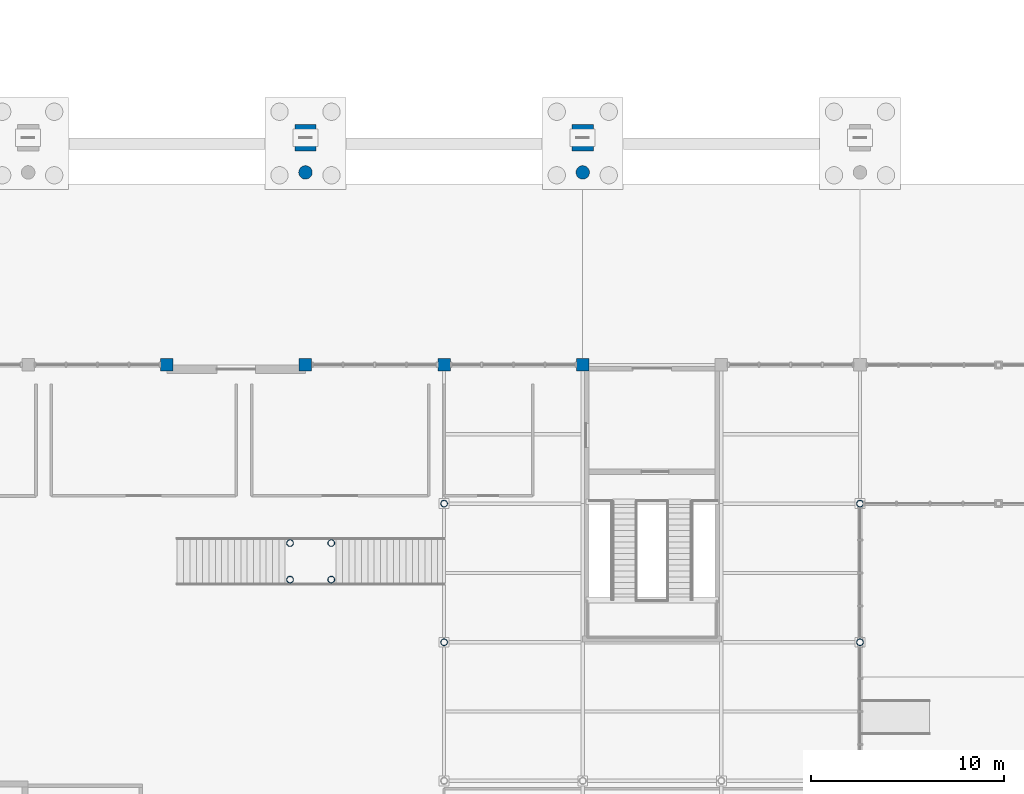
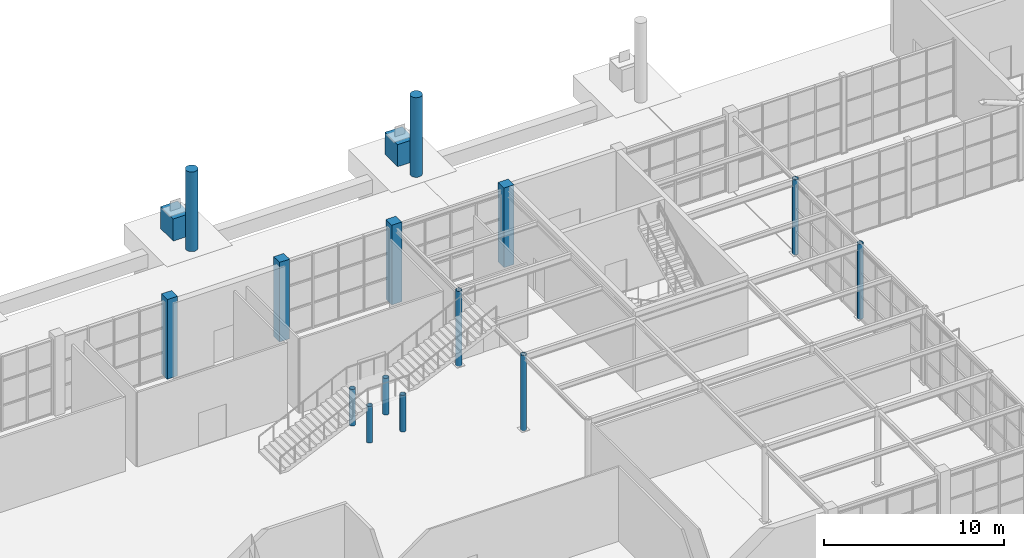
# One storey, part 12 of 75: 16 columns.
"""IFC4 building model written with IfcOpenShell, lengths in metres."""

import ifcopenshell
import ifcopenshell.guid

model = None  # the IFC model being written
_history = None  # IfcOwnerHistory: only IFC2X3 demands one
_inside = {}  # id of a spatial element -> (the spatial element, [elements in it])
_under = {}  # id of a project, library or spatial element -> (it, [spatial elements below it])
_declared = {}  # id of a project -> (the project, [libraries it declares])
_typed = {}  # id of a type object -> (the type object, [elements of that type])
_made_of = {}  # id of a material, layer set ... -> (it, [elements and type objects made of it])


def new_model(schema):
    """Start an empty IFC model of exactly this schema.

    Asked for "IFC4X3", IfcOpenShell would pick the latest addendum, in which some entities
    have other attributes; the version numbers below select the first issue.
    IFC2X3 requires an IfcOwnerHistory on every rooted entity: one is made here for all.
    """
    global model, _history
    if schema == "IFC4X3":
        model = ifcopenshell.file(schema_version=(4, 3, 0, 0))
    else:
        model = ifcopenshell.file(schema=schema)
    _inside.clear()
    _under.clear()
    _declared.clear()
    _typed.clear()
    _made_of.clear()
    _history = None
    if model.schema == "IFC2X3":
        org = make("IfcOrganization", Name="unknown")
        user = make(
            "IfcPersonAndOrganization",
            ThePerson=make("IfcPerson", FamilyName="unknown"),
            TheOrganization=org,
        )
        app = make(
            "IfcApplication",
            ApplicationDeveloper=org,
            Version="unknown",
            ApplicationFullName="unknown",
            ApplicationIdentifier="unknown",
        )
        _history = make(
            "IfcOwnerHistory",
            OwningUser=user,
            OwningApplication=app,
            ChangeAction="ADDED",
            CreationDate=0,
        )
    return model


def make(cls, **values):
    """One entity of the class cls with the attributes given. An attribute that is None is left unset."""
    return model.create_entity(
        cls, **{name: value for name, value in values.items() if value is not None}
    )


def rooted(cls, **values):
    """An entity with a GlobalId (a new one), such as an element, a storey or a relation."""
    return make(cls, GlobalId=ifcopenshell.guid.new(), OwnerHistory=_history, **values)


def si_unit(unit_type, name, prefix=None):
    """IfcSIUnit, for example si_unit("LENGTHUNIT", "METRE", prefix="MILLI")."""
    return make("IfcSIUnit", UnitType=unit_type, Prefix=prefix, Name=name)


def assignment(units):
    """IfcUnitAssignment: the units of a project."""
    return None if units is None else make("IfcUnitAssignment", Units=units)


def point(xyz):
    """IfcCartesianPoint."""
    return None if xyz is None else make("IfcCartesianPoint", Coordinates=xyz)


def direction(xyz):
    """IfcDirection."""
    return None if xyz is None else make("IfcDirection", DirectionRatios=xyz)


def frame(location, z_axis=None, x_axis=None):
    """IfcAxis2Placement3D, a coordinate frame: its origin and axes. An axis left out is left unset."""
    return make(
        "IfcAxis2Placement3D",
        Location=point(location),
        Axis=direction(z_axis),
        RefDirection=direction(x_axis),
    )


def frame_2d(location, x_axis=None):
    """IfcAxis2Placement2D, a coordinate frame in the plane: its origin and x axis."""
    return make(
        "IfcAxis2Placement2D", Location=point(location), RefDirection=direction(x_axis)
    )


def origin():
    """The frame at (0, 0, 0) with its axes left unset."""
    return frame((0.0, 0.0, 0.0))


def origin_2d():
    """The frame at (0, 0) in the plane with its x axis left unset."""
    return frame_2d((0.0, 0.0))


def place(relative_to, where):
    """IfcLocalPlacement: puts the frame where relative to a parent placement (None: the world)."""
    return make(
        "IfcLocalPlacement", PlacementRelTo=relative_to, RelativePlacement=where
    )


def context(
    kind, dimensions, precision=None, world=None, true_north=None, identifier=None
):
    """IfcGeometricRepresentationContext, for example the 3D "Model" context."""
    return make(
        "IfcGeometricRepresentationContext",
        ContextIdentifier=identifier,
        ContextType=kind,
        CoordinateSpaceDimension=dimensions,
        Precision=precision,
        WorldCoordinateSystem=world,
        TrueNorth=true_north,
    )


def subcontext(parent, identifier, kind, view, scale=None):
    """IfcGeometricRepresentationSubContext, for example "Body" below "Model"."""
    return make(
        "IfcGeometricRepresentationSubContext",
        ContextIdentifier=identifier,
        ContextType=kind,
        ParentContext=parent,
        TargetScale=scale,
        TargetView=view,
    )


def project(units=None, contexts=None):
    """IfcProject with its units and contexts."""
    return rooted(
        "IfcProject",
        Name="project",
        RepresentationContexts=contexts,
        UnitsInContext=assignment(units),
    )


def spatial(cls, under=None, at=None, **own):
    """A site, building, storey or space (cls), placed at a placement, below another one or the project."""
    s = rooted(cls, ObjectPlacement=at, **own)
    if under is not None:
        _under.setdefault(under.id(), (under, []))[1].append(s)
    return s


def profile(cls, at=None, kind="AREA", **sizes):
    """A parametric profile (cls). Its sizes go by their IFC names, for example OverallWidth=200.0."""
    return make(cls, ProfileType=kind, Position=at, **sizes)


def rectangle(**sizes):
    """IfcRectangleProfileDef."""
    return profile("IfcRectangleProfileDef", **sizes)


def circle(**sizes):
    """IfcCircleProfileDef."""
    return profile("IfcCircleProfileDef", **sizes)


def hollow_circle(**sizes):
    """IfcCircleHollowProfileDef."""
    return profile("IfcCircleHollowProfileDef", **sizes)


def extrude(swept, where, along, depth):
    """IfcExtrudedAreaSolid: the profile swept, set in the frame where, extruded along a direction by depth."""
    return make(
        "IfcExtrudedAreaSolid",
        SweptArea=swept,
        Position=where,
        ExtrudedDirection=direction(along),
        Depth=depth,
    )


def shape(context_of_items, identifier, shape_type, items):
    """IfcShapeRepresentation: the items that make up one representation, for example the "Body"."""
    return make(
        "IfcShapeRepresentation",
        ContextOfItems=context_of_items,
        RepresentationIdentifier=identifier,
        RepresentationType=shape_type,
        Items=items,
    )


def material(Name=None, Category=None):
    """IfcMaterial."""
    return make("IfcMaterial", Name=Name, Category=Category)


def material_profile(
    of_material, cross_section, Name=None, Category=None, Priority=None
):
    """IfcMaterialProfile: a cross section and its material."""
    return make(
        "IfcMaterialProfile",
        Name=Name,
        Material=of_material,
        Profile=cross_section,
        Priority=Priority,
        Category=Category,
    )


def profile_set(profiles, Name=None, composite=None):
    """IfcMaterialProfileSet."""
    return make(
        "IfcMaterialProfileSet",
        Name=Name,
        MaterialProfiles=profiles,
        CompositeProfile=composite,
    )


def made_of(thing, what):
    """Note that an element or type object is made of a material, layer set ...; save() writes the relation."""
    if what is not None:
        _made_of.setdefault(what.id(), (what, []))[1].append(thing)
    return thing


def type_object(cls, material=None, **own):
    """A type object (cls), such as IfcWallType, which elements share."""
    return made_of(rooted(cls, **own), material)


def element(
    cls,
    number,
    at=None,
    inside=None,
    cuts=None,
    type_object=None,
    material=None,
    context=None,
    identifier="Body",
    shape_type=None,
    held_by="IfcProductDefinitionShape",
    body=None,
    shapes=None,
    **own,
):
    """One element of the class cls, such as IfcWall. Its Tag is "e" and its number.

    at: its placement. inside: the storey or other place that contains it. cuts: it is an
    opening in that element (IfcRelVoidsElement). A single representation is given by context,
    identifier, shape_type and body (its items); several are given by shapes. held_by: the class
    of the entity that holds the representations. save() writes the other relations.
    """
    e = rooted(cls, Tag="e%d" % number, ObjectPlacement=at, **own)
    if body is not None:
        shapes = [shape(context, identifier, shape_type, body)]
    if shapes is not None:
        e.Representation = make(held_by, Representations=shapes)
    if inside is not None:
        _inside.setdefault(inside.id(), (inside, []))[1].append(e)
    if cuts is not None:
        rooted(
            "IfcRelVoidsElement", RelatingBuildingElement=cuts, RelatedOpeningElement=e
        )
    if type_object is not None:
        _typed.setdefault(type_object.id(), (type_object, []))[1].append(e)
    return made_of(e, material)


def aggregate(whole, parts):
    """IfcRelAggregates: a whole, such as a stair, and the parts it consists of."""
    return rooted("IfcRelAggregates", RelatingObject=whole, RelatedObjects=parts)


def save(model, path):
    """Write the relations noted so far, then the file.

    IfcRelAggregates (storeys below a building ...), IfcRelContainedInSpatialStructure (elements
    in a storey), IfcRelDefinesByType, IfcRelAssociatesMaterial and IfcRelDeclares: one each for
    every whole, place, type object, material and project.
    """
    for whole, parts in _under.values():
        aggregate(whole, parts)
    for where, things in _inside.values():
        rooted(
            "IfcRelContainedInSpatialStructure",
            RelatedElements=things,
            RelatingStructure=where,
        )
    for kind, things in _typed.values():
        rooted("IfcRelDefinesByType", RelatedObjects=things, RelatingType=kind)
    for what, things in _made_of.values():
        rooted("IfcRelAssociatesMaterial", RelatedObjects=things, RelatingMaterial=what)
    for by, libraries in _declared.values():
        rooted("IfcRelDeclares", RelatingContext=by, RelatedDefinitions=libraries)
    model.write(path)


model = new_model("IFC4")

# Units and contexts
model_context = context("Model", 3, precision=1e-05, world=origin(), true_north=direction((0.0, 1.0)))
body_context = subcontext(model_context, "Body", "Model", "MODEL_VIEW")
ifc_project = project(units=[si_unit("LENGTHUNIT", "METRE"), si_unit("AREAUNIT", "SQUARE_METRE"), si_unit("VOLUMEUNIT", "CUBIC_METRE"), si_unit("PLANEANGLEUNIT", "RADIAN"), si_unit("MASSUNIT", "GRAM", prefix="KILO")], contexts=[model_context])

# Site, building, storey
site_placement = place(None, origin())
site = spatial("IfcSite", under=ifc_project, at=site_placement, CompositionType="ELEMENT")
building_placement = place(site_placement, origin())
building = spatial("IfcBuilding", under=site, at=building_placement, Name="Leyfeld Transit Interchange", CompositionType="ELEMENT")
storey_placement = place(building_placement, origin())
storey = spatial("IfcBuildingStorey", under=building, at=storey_placement, Name="L00", CompositionType="ELEMENT", Elevation=0.0)

# Columns
ifc_material_1 = material(Name="Concrete C40/50", Category="concrete")
ifc_material_profile_1 = material_profile(ifc_material_1, rectangle(XDim=1.10009765625, YDim=1.39990234375, at=origin_2d()), Name="RC 1400x1100")
ifc_profile_set_1 = profile_set([ifc_material_profile_1], Name="Concrete C40/50")
column_type_1 = type_object("IfcColumnType", Name="COL-BUTT-1400", PredefinedType="COLUMN", material=ifc_profile_set_1)
for number, where, z_axis, x_axis, name in (
    (1, (72.0, 62.199951171875, 0.0), (0.0, 0.0, 1.0), (1.0, 0.0, 0.0), "Column COL-L00-0720_0622"),
    (2, (86.39990234375, 62.199951171875, 0.0), (0.0, 0.0, 1.0), (1.0, 0.0, 0.0), "Column COL-L00-0864_0622"),
):
    element("IfcColumn", number, at=place(storey_placement, frame(where, z_axis=z_axis, x_axis=x_axis)), inside=storey, type_object=column_type_1, Name=name, PredefinedType="COLUMN", context=body_context, shape_type="SweptSolid", body=[
        extrude(rectangle(XDim=1.10009765625, YDim=1.39990234375, at=origin_2d()), origin(), (0.0, 0.0, 1.0), 1.5),
    ])
ifc_material_2 = material(Name="Concrete C35/45", Category="concrete")
ifc_material_profile_2 = material_profile(ifc_material_2, rectangle(XDim=0.64990234375, YDim=0.64990234375, at=origin_2d()), Name="RC 650x650")
ifc_profile_set_2 = profile_set([ifc_material_profile_2], Name="Concrete C35/45")
column_type_2 = type_object("IfcColumnType", Name="COL-RC-650", PredefinedType="COLUMN", material=ifc_profile_set_2)
for number, where, z_axis, x_axis, name in (
    (3, (64.800048828125, 50.39990234375, 0.0), (0.0, 0.0, 1.0), (1.0, 0.0, 0.0), "Column COL-L00-0648_0504"),
    (4, (72.0, 50.39990234375, 0.0), (0.0, 0.0, 1.0), (1.0, 0.0, 0.0), "Column COL-L00-0720_0504"),
    (5, (79.199951171875, 50.39990234375, 0.0), (0.0, 0.0, 1.0), (1.0, 0.0, 0.0), "Column COL-L00-0792_0504"),
    (6, (86.39990234375, 50.39990234375, 0.0), (0.0, 0.0, 1.0), (1.0, 0.0, 0.0), "Column COL-L00-0864_0504"),
):
    element("IfcColumn", number, at=place(storey_placement, frame(where, z_axis=z_axis, x_axis=x_axis)), inside=storey, type_object=column_type_2, Name=name, PredefinedType="COLUMN", context=body_context, shape_type="SweptSolid", body=[
        extrude(rectangle(XDim=0.64990234375, YDim=0.64990234375, at=origin_2d()), origin(), (0.0, 0.0, 1.0), 5.39990234375),
    ])
ifc_material_profile_3 = material_profile(ifc_material_2, circle(Radius=0.35009765625, at=origin_2d()), Name="RC D700")
ifc_profile_set_3 = profile_set([ifc_material_profile_3], Name="Concrete C35/45")
column_type_3 = type_object("IfcColumnType", Name="COL-RC-D700", PredefinedType="COLUMN", material=ifc_profile_set_3)
for number, where, z_axis, x_axis, name in (
    (7, (72.0, 60.39990234375, 0.0), (0.0, 0.0, 1.0), (1.0, 0.0, 0.0), "Column COL-L00-0720_0604"),
    (8, (86.39990234375, 60.39990234375, 0.0), (0.0, 0.0, 1.0), (1.0, 0.0, 0.0), "Column COL-L00-0864_0604"),
):
    element("IfcColumn", number, at=place(storey_placement, frame(where, z_axis=z_axis, x_axis=x_axis)), inside=storey, type_object=column_type_3, Name=name, PredefinedType="COLUMN", context=body_context, shape_type="SweptSolid", body=[
        extrude(circle(Radius=0.35009765625, at=origin_2d()), origin(), (0.0, 0.0, 1.0), 5.39990234375),
    ])
ifc_material_3 = material(Name="Steel S355J2", Category="steel")
ifc_material_profile_4 = material_profile(ifc_material_3, hollow_circle(Radius=0.177734375, WallThickness=0.01611328125, at=origin_2d()), Name="CHS 355.6x16")
ifc_profile_set_4 = profile_set([ifc_material_profile_4], Name="Steel S355J2")
column_type_4 = type_object("IfcColumnType", Name="COL-STL-CHS355", PredefinedType="COLUMN", material=ifc_profile_set_4)
for number, where, z_axis, x_axis, name in (
    (9, (79.199951171875, 36.0, 0.0), (0.0, 0.0, 1.0), (1.0, 0.0, 0.0), "Column COL-L00-0792_0360"),
    (10, (79.199951171875, 43.199951171875, 0.0), (0.0, 0.0, 1.0), (1.0, 0.0, 0.0), "Column COL-L00-0792_0432"),
    (11, (100.800048828125, 36.0, 0.0), (0.0, 0.0, 1.0), (1.0, 0.0, 0.0), "Column COL-L00-1008_0360"),
    (12, (100.800048828125, 43.199951171875, 0.0), (0.0, 0.0, 1.0), (1.0, 0.0, 0.0), "Column COL-L00-1008_0432"),
):
    element("IfcColumn", number, at=place(storey_placement, frame(where, z_axis=z_axis, x_axis=x_axis)), inside=storey, type_object=column_type_4, Name=name, PredefinedType="COLUMN", context=body_context, shape_type="SweptSolid", body=[
        extrude(hollow_circle(Radius=0.177734375, WallThickness=0.01611328125, at=origin_2d()), origin(), (0.0, 0.0, 1.0), 5.10009765625),
    ])
for number, where, z_axis, x_axis, name in (
    (13, (71.199951171875, 39.25, 0.0), (0.0, 0.0, 1.0), (1.0, 0.0, 0.0), "Feature Stair ST-11 Landing Column 1"),
    (14, (73.340087890625, 39.25, 0.0), (0.0, 0.0, 1.0), (1.0, 0.0, 0.0), "Feature Stair ST-11 Landing Column 2"),
    (15, (71.199951171875, 41.14990234375, 0.0), (0.0, 0.0, 1.0), (1.0, 0.0, 0.0), "Feature Stair ST-11 Landing Column 3"),
    (16, (73.340087890625, 41.14990234375, 0.0), (0.0, 0.0, 1.0), (1.0, 0.0, 0.0), "Feature Stair ST-11 Landing Column 4"),
):
    element("IfcColumn", number, at=place(storey_placement, frame(where, z_axis=z_axis, x_axis=x_axis)), inside=storey, type_object=column_type_4, Name=name, PredefinedType="COLUMN", context=body_context, shape_type="SweptSolid", body=[
        extrude(hollow_circle(Radius=0.177734375, WallThickness=0.01611328125, at=origin_2d()), origin(), (0.0, 0.0, 1.0), 2.47998046875),
    ])

save(model, "model.ifc")
